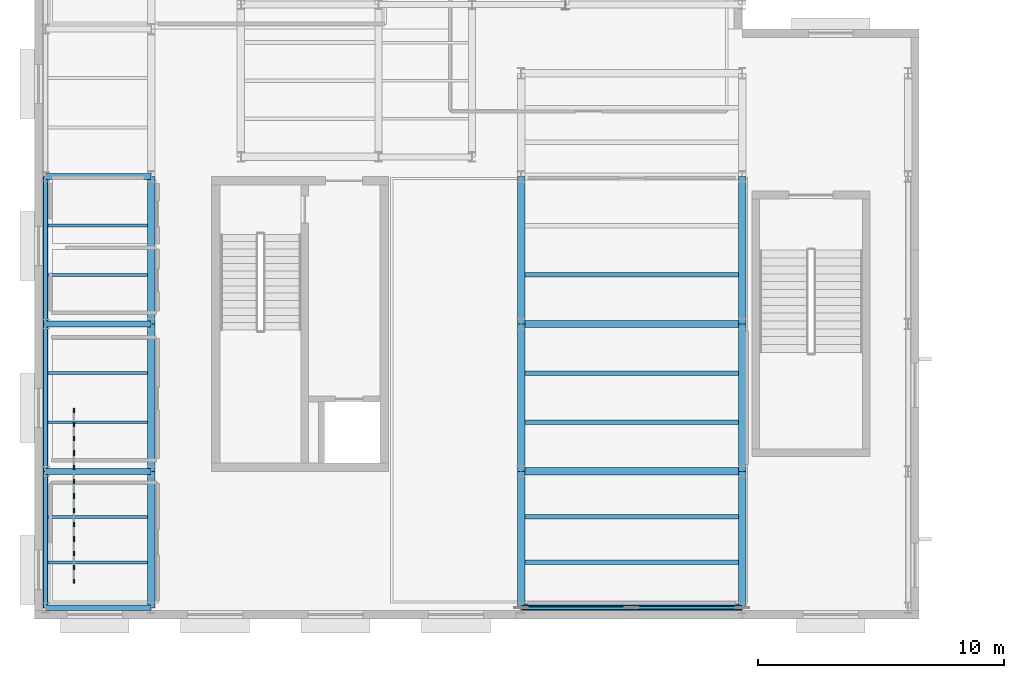
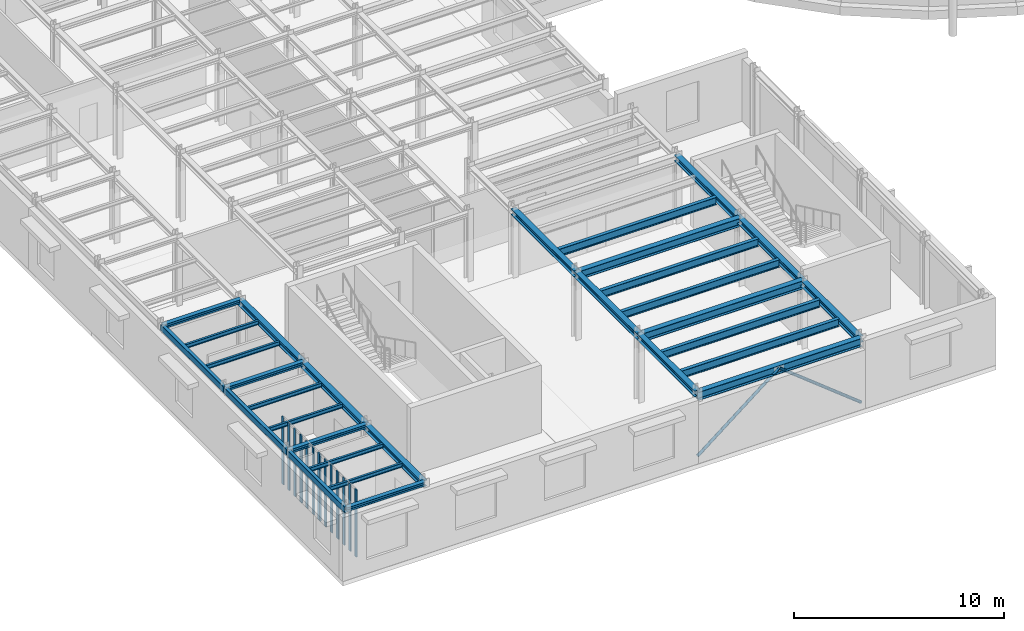
# One storey, part 15 of 75: 30 beams, 18 members, 4 elements without a shape of their own.
"""IFC4 building model written with IfcOpenShell, lengths in metres."""

from ifc_helpers import new_model, si_unit, direction, frame, origin, origin_2d, place, context, subcontext, project, spatial, rectangle, hollow_rectangle, hollow_circle, i_section, extrude, material, material_profile, profile_set, type_object, element, aggregate, save


model = new_model("IFC4")

# Units and contexts
model_context = context("Model", 3, precision=1e-05, world=origin(), true_north=direction((0.0, 1.0)))
body_context = subcontext(model_context, "Body", "Model", "MODEL_VIEW")
ifc_project = project(units=[si_unit("LENGTHUNIT", "METRE"), si_unit("AREAUNIT", "SQUARE_METRE"), si_unit("VOLUMEUNIT", "CUBIC_METRE"), si_unit("PLANEANGLEUNIT", "RADIAN"), si_unit("MASSUNIT", "GRAM", prefix="KILO")], contexts=[model_context])

# Site, building, storey
site_placement = place(None, origin())
site = spatial("IfcSite", under=ifc_project, at=site_placement, CompositionType="ELEMENT")
building_placement = place(site_placement, origin())
building = spatial("IfcBuilding", under=site, at=building_placement, Name="Kolvaren Corner Interchange", CompositionType="ELEMENT")
storey_placement = place(building_placement, frame((0.0, 0.0, 10.5)))
storey = spatial("IfcBuildingStorey", under=building, at=storey_placement, Name="L03", CompositionType="ELEMENT", Elevation=10.5)

# Beams
ifc_material_1 = material(Name="Steel S355", Category="steel")
ifc_material_profile_1 = material_profile(ifc_material_1, i_section(OverallWidth=0.239990234375, OverallDepth=0.22998046875, WebThickness=0.007568359375, FlangeThickness=0.011962890625, FilletRadius=0.02099609375, at=origin_2d()), Name="HEA 240")
ifc_profile_set_1 = profile_set([ifc_material_profile_1], Name="Steel S355")
beam_type_1 = type_object("IfcBeamType", Name="BM-HEA240", PredefinedType="BEAM", material=ifc_profile_set_1)
for number, where, z_axis, x_axis, name in (
    (1, (0.449951171875, 0.449951171875, 3.8349609375), (1.0, 0.0, 0.0), (0.0, 1.0, 0.0), "Storey L03 Grid X Primary Girder 0942"),
    (2, (0.449951171875, 6.0, 3.8349609375), (1.0, 0.0, 0.0), (0.0, 1.0, 0.0), "Storey L03 Grid X Primary Girder 0944"),
    (3, (0.449951171875, 12.0, 3.8349609375), (1.0, 0.0, 0.0), (0.0, 1.0, 0.0), "Storey L03 Grid X Primary Girder 0946"),
    (4, (0.449951171875, 18.0, 3.8349609375), (1.0, 0.0, 0.0), (0.0, 1.0, 0.0), "Storey L03 Grid X Primary Girder 0948"),
):
    element("IfcBeam", number, at=place(storey_placement, frame(where, z_axis=z_axis, x_axis=x_axis)), inside=storey, type_object=beam_type_1, Name=name, PredefinedType="BEAM", context=body_context, shape_type="SweptSolid", body=[
        extrude(i_section(OverallWidth=0.239990234375, OverallDepth=0.22998046875, WebThickness=0.007568359375, FlangeThickness=0.011962890625, FilletRadius=0.02099609375, at=origin_2d()), origin(), (0.0, 0.0, 1.0), 4.300048828125),
    ])
ifc_material_2 = material(Name="Steel S355", Category="steel")
ifc_material_profile_2 = material_profile(ifc_material_2, i_section(OverallWidth=0.300048828125, OverallDepth=0.35009765625, WebThickness=0.010009765625, FlangeThickness=0.017578125, FilletRadius=0.027099609375, at=origin_2d()), Name="HEA 360")
ifc_profile_set_2 = profile_set([ifc_material_profile_2], Name="Steel S355")
beam_type_2 = type_object("IfcBeamType", Name="BM-HEA360", PredefinedType="BEAM", material=ifc_profile_set_2)
beam_1_placement = place(storey_placement, frame((4.75, 0.449951171875, 3.77490234375), z_axis=(0.0, 1.0, 0.0), x_axis=(-1.0, 0.0, 0.0)))
element("IfcBeam", 5, at=beam_1_placement, inside=storey, type_object=beam_type_2, Name="Storey L03 Grid Y Primary Girder 0988", PredefinedType="BEAM", context=body_context, shape_type="SweptSolid", body=[
    extrude(i_section(OverallWidth=0.300048828125, OverallDepth=0.35009765625, WebThickness=0.010009765625, FlangeThickness=0.017578125, FilletRadius=0.027099609375, at=origin_2d()), origin(), (0.0, 0.0, 1.0), 5.550048828125),
])
for number, where, z_axis, x_axis, name in (
    (6, (4.75, 6.0, 3.77490234375), (0.0, 1.0, 0.0), (-1.0, 0.0, 0.0), "Storey L03 Grid Y Primary Girder 0989"),
    (7, (4.75, 12.0, 3.77490234375), (0.0, 1.0, 0.0), (-1.0, 0.0, 0.0), "Storey L03 Grid Y Primary Girder 0990"),
):
    element("IfcBeam", number, at=place(storey_placement, frame(where, z_axis=z_axis, x_axis=x_axis)), inside=storey, type_object=beam_type_2, Name=name, PredefinedType="BEAM", context=body_context, shape_type="SweptSolid", body=[
        extrude(i_section(OverallWidth=0.300048828125, OverallDepth=0.35009765625, WebThickness=0.010009765625, FlangeThickness=0.017578125, FilletRadius=0.027099609375, at=origin_2d()), origin(), (0.0, 0.0, 1.0), 6.0),
    ])
beam_2_placement = place(storey_placement, frame((19.800048828125, 0.449951171875, 3.77490234375), z_axis=(0.0, 1.0, 0.0), x_axis=(-1.0, 0.0, 0.0)))
element("IfcBeam", 8, at=beam_2_placement, inside=storey, type_object=beam_type_2, Name="Storey L03 Grid Y Primary Girder 1004", PredefinedType="BEAM", context=body_context, shape_type="SweptSolid", body=[
    extrude(i_section(OverallWidth=0.300048828125, OverallDepth=0.35009765625, WebThickness=0.010009765625, FlangeThickness=0.017578125, FilletRadius=0.027099609375, at=origin_2d()), origin(), (0.0, 0.0, 1.0), 5.550048828125),
])
for number, where, z_axis, x_axis, name in (
    (9, (19.800048828125, 6.0, 3.77490234375), (0.0, 1.0, 0.0), (-1.0, 0.0, 0.0), "Storey L03 Grid Y Primary Girder 1005"),
    (10, (19.800048828125, 12.0, 3.77490234375), (0.0, 1.0, 0.0), (-1.0, 0.0, 0.0), "Storey L03 Grid Y Primary Girder 1006"),
):
    element("IfcBeam", number, at=place(storey_placement, frame(where, z_axis=z_axis, x_axis=x_axis)), inside=storey, type_object=beam_type_2, Name=name, PredefinedType="BEAM", context=body_context, shape_type="SweptSolid", body=[
        extrude(i_section(OverallWidth=0.300048828125, OverallDepth=0.35009765625, WebThickness=0.010009765625, FlangeThickness=0.017578125, FilletRadius=0.027099609375, at=origin_2d()), origin(), (0.0, 0.0, 1.0), 6.0),
    ])
beam_3_placement = place(storey_placement, frame((28.800048828125, 0.449951171875, 3.7548828125), z_axis=(0.0, 1.0, 0.0), x_axis=(-1.0, 0.0, 0.0)))
element("IfcBeam", 11, at=beam_3_placement, inside=storey, type_object=beam_type_2, Name="Storey L03 Grid Y Primary Girder 1010", PredefinedType="BEAM", context=body_context, shape_type="SweptSolid", body=[
    extrude(i_section(OverallWidth=0.300048828125, OverallDepth=0.35009765625, WebThickness=0.010009765625, FlangeThickness=0.017578125, FilletRadius=0.027099609375, at=origin_2d()), origin(), (0.0, 0.0, 1.0), 5.550048828125),
])
for number, where, z_axis, x_axis, name in (
    (12, (28.800048828125, 6.0, 3.7548828125), (0.0, 1.0, 0.0), (-1.0, 0.0, 0.0), "Storey L03 Grid Y Primary Girder 1011"),
    (13, (28.800048828125, 12.0, 3.7548828125), (0.0, 1.0, 0.0), (-1.0, 0.0, 0.0), "Storey L03 Grid Y Primary Girder 1012"),
):
    element("IfcBeam", number, at=place(storey_placement, frame(where, z_axis=z_axis, x_axis=x_axis)), inside=storey, type_object=beam_type_2, Name=name, PredefinedType="BEAM", context=body_context, shape_type="SweptSolid", body=[
        extrude(i_section(OverallWidth=0.300048828125, OverallDepth=0.35009765625, WebThickness=0.010009765625, FlangeThickness=0.017578125, FilletRadius=0.027099609375, at=origin_2d()), origin(), (0.0, 0.0, 1.0), 6.0),
    ])
ifc_material_3 = material(Name="Steel S355", Category="steel")
ifc_material_profile_3 = material_profile(ifc_material_3, i_section(OverallWidth=0.300048828125, OverallDepth=0.489990234375, WebThickness=0.011962890625, FlangeThickness=0.02294921875, FilletRadius=0.027099609375, at=origin_2d()), Name="HEA 500")
ifc_profile_set_3 = profile_set([ifc_material_profile_3], Name="Steel S355")
beam_type_3 = type_object("IfcBeamType", Name="BM-HEA500", PredefinedType="BEAM", material=ifc_profile_set_3)
for number, where, z_axis, x_axis, name in (
    (14, (19.800048828125, 0.449951171875, 3.68505859375), (1.0, 0.0, 0.0), (0.0, 1.0, 0.0), "Storey L03 Grid X Primary Girder 0943"),
    (15, (19.800048828125, 6.0, 3.68505859375), (1.0, 0.0, 0.0), (0.0, 1.0, 0.0), "Storey L03 Grid X Primary Girder 0945"),
    (16, (19.800048828125, 12.0, 3.68505859375), (1.0, 0.0, 0.0), (0.0, 1.0, 0.0), "Storey L03 Grid X Primary Girder 0947"),
):
    element("IfcBeam", number, at=place(storey_placement, frame(where, z_axis=z_axis, x_axis=x_axis)), inside=storey, type_object=beam_type_3, Name=name, PredefinedType="BEAM", context=body_context, shape_type="SweptSolid", body=[
        extrude(i_section(OverallWidth=0.300048828125, OverallDepth=0.489990234375, WebThickness=0.011962890625, FlangeThickness=0.02294921875, FilletRadius=0.027099609375, at=origin_2d()), origin(), (0.0, 0.0, 1.0), 9.0),
    ])
ifc_material_4 = material(Name="Steel S355", Category="steel")
ifc_material_profile_4 = material_profile(ifc_material_4, i_section(OverallWidth=0.1201171875, OverallDepth=0.239990234375, WebThickness=0.006103515625, FlangeThickness=0.009765625, FilletRadius=0.014892578125, at=origin_2d()), Name="IPE 240")
ifc_profile_set_4 = profile_set([ifc_material_profile_4], Name="Steel S355")
beam_type_4 = type_object("IfcBeamType", Name="JS-IPE240", PredefinedType="JOIST", material=ifc_profile_set_4)
for number, where, z_axis, x_axis, name in (
    (17, (0.550048828125, 2.300048828125, 3.830078125), (1.0, 0.0, 0.0), (0.0, 1.0, 0.0), "Storey L03 Composite Floor Joist 0833"),
    (18, (0.550048828125, 4.14990234375, 3.830078125), (1.0, 0.0, 0.0), (0.0, 1.0, 0.0), "Storey L03 Composite Floor Joist 0834"),
    (19, (0.550048828125, 8.0, 3.830078125), (1.0, 0.0, 0.0), (0.0, 1.0, 0.0), "Storey L03 Composite Floor Joist 0835"),
    (20, (0.550048828125, 10.0, 3.830078125), (1.0, 0.0, 0.0), (0.0, 1.0, 0.0), "Storey L03 Composite Floor Joist 0836"),
    (21, (0.550048828125, 14.0, 3.830078125), (1.0, 0.0, 0.0), (0.0, 1.0, 0.0), "Storey L03 Composite Floor Joist 0837"),
    (22, (0.550048828125, 16.0, 3.830078125), (1.0, 0.0, 0.0), (0.0, 1.0, 0.0), "Storey L03 Composite Floor Joist 0838"),
):
    element("IfcBeam", number, at=place(storey_placement, frame(where, z_axis=z_axis, x_axis=x_axis)), inside=storey, type_object=beam_type_4, Name=name, PredefinedType="JOIST", context=body_context, shape_type="SweptSolid", body=[
        extrude(i_section(OverallWidth=0.1201171875, OverallDepth=0.239990234375, WebThickness=0.006103515625, FlangeThickness=0.009765625, FilletRadius=0.014892578125, at=origin_2d()), origin(), (0.0, 0.0, 1.0), 4.050048828125),
    ])
ifc_material_5 = material(Name="Steel S355", Category="steel")
ifc_material_profile_5 = material_profile(ifc_material_5, i_section(OverallWidth=0.18994140625, OverallDepth=0.449951171875, WebThickness=0.009521484375, FlangeThickness=0.0146484375, FilletRadius=0.02099609375, at=origin_2d()), Name="IPE 450")
ifc_profile_set_5 = profile_set([ifc_material_profile_5], Name="Steel S355")
beam_type_5 = type_object("IfcBeamType", Name="JS-IPE450", PredefinedType="JOIST", material=ifc_profile_set_5)
for number, where, z_axis, x_axis, name in (
    (23, (19.949951171875, 2.300048828125, 3.72509765625), (1.0, 0.0, 0.0), (0.0, 1.0, 0.0), "Storey L03 Composite Floor Joist 0868"),
    (24, (19.949951171875, 4.14990234375, 3.72509765625), (1.0, 0.0, 0.0), (0.0, 1.0, 0.0), "Storey L03 Composite Floor Joist 0869"),
    (25, (19.949951171875, 8.0, 3.72509765625), (1.0, 0.0, 0.0), (0.0, 1.0, 0.0), "Storey L03 Composite Floor Joist 0870"),
    (26, (19.949951171875, 10.0, 3.72509765625), (1.0, 0.0, 0.0), (0.0, 1.0, 0.0), "Storey L03 Composite Floor Joist 0871"),
    (27, (19.949951171875, 14.0, 3.72509765625), (1.0, 0.0, 0.0), (0.0, 1.0, 0.0), "Storey L03 Composite Floor Joist 0872"),
):
    element("IfcBeam", number, at=place(storey_placement, frame(where, z_axis=z_axis, x_axis=x_axis)), inside=storey, type_object=beam_type_5, Name=name, PredefinedType="JOIST", context=body_context, shape_type="SweptSolid", body=[
        extrude(i_section(OverallWidth=0.18994140625, OverallDepth=0.449951171875, WebThickness=0.009521484375, FlangeThickness=0.0146484375, FilletRadius=0.02099609375, at=origin_2d()), origin(), (0.0, 0.0, 1.0), 8.699951171875),
    ])

# Members
ifc_material_6 = material(Name="Steel S355", Category="steel")
ifc_material_profile_6 = material_profile(ifc_material_6, hollow_circle(Radius=0.084228515625, WallThickness=0.008056640625, at=origin_2d()), Name="CHS 168.3x8.0")
ifc_profile_set_6 = profile_set([ifc_material_profile_6], Name="Steel S355")
member_type_1 = type_object("IfcMemberType", Name="MEM-BR-CHS168", PredefinedType="BRACE", material=ifc_profile_set_6)
for number, where, z_axis, x_axis, name in (
    (28, (19.800048828125, 0.449951171875, 0.1201171875), (0.783838824147, 0.0, 0.620964328895), (0.0, 1.0, 0.0), "Storey L03 Lateral Chevron Steel Brace 03 Left"),
    (29, (28.800048828125, 0.449951171875, 0.1201171875), (-0.783838824147, 0.0, 0.620964328895), (0.0, -1.0, 0.0), "Storey L03 Lateral Chevron Steel Brace 03 Right"),
):
    element("IfcMember", number, at=place(storey_placement, frame(where, z_axis=z_axis, x_axis=x_axis)), inside=storey, type_object=member_type_1, Name=name, PredefinedType="BRACE", context=body_context, shape_type="SweptSolid", body=[
        extrude(hollow_circle(Radius=0.084228515625, WallThickness=0.008056640625, at=origin_2d()), origin(), (0.0, 0.0, 1.0), 5.740966796875),
    ])

# Curtain wall, members
ifc_material_7 = material(Name="Unitised Aluminium and Solar-Control Glass Curtain Wall", Category="aluminium")
curtain_wall_type = type_object("IfcCurtainWallType", Name="CW-V5-LOGGIA", PredefinedType="NOTDEFINED", material=ifc_material_7)
curtain_wall_1_placement = place(storey_placement, origin())
curtain_wall_1 = element("IfcCurtainWall", 30, at=curtain_wall_1_placement, inside=storey, type_object=curtain_wall_type, Name="Corner Loggia L03 Curtain Wall Bay 01", PredefinedType="NOTDEFINED")
ifc_material_8 = material(Name="Anodised Aluminium Framing", Category="aluminium")
ifc_material_profile_7 = material_profile(ifc_material_8, rectangle(XDim=0.06005859375, YDim=0.179931640625, at=origin_2d()), Name="ALU 60x180")
ifc_profile_set_7 = profile_set([ifc_material_profile_7], Name="Anodised Aluminium Framing")
member_type_2 = type_object("IfcMemberType", Name="MUL-ALU60x180", PredefinedType="MULLION", material=ifc_profile_set_7)
member_1_placement = place(storey_placement, frame((1.60009765625, 1.530029296875, 0.0), z_axis=(0.0, 0.0, 1.0), x_axis=(-1.0, 0.0, 0.0)))
member_1 = element("IfcMember", 31, at=member_1_placement, type_object=member_type_2, Name="CW-158 mullion 1", PredefinedType="MULLION", context=body_context, shape_type="SweptSolid", body=[
    extrude(rectangle(XDim=0.06005859375, YDim=0.179931640625, at=origin_2d()), origin(), (0.0, 0.0, 1.0), 3.919921875),
])
member_2_placement = place(storey_placement, frame((1.60009765625, 2.083251953125, 0.0), z_axis=(0.0, 0.0, 1.0), x_axis=(-1.0, 0.0, 0.0)))
member_2 = element("IfcMember", 32, at=member_2_placement, type_object=member_type_2, Name="CW-158 mullion 2", PredefinedType="MULLION", context=body_context, shape_type="SweptSolid", body=[
    extrude(rectangle(XDim=0.06005859375, YDim=0.179931640625, at=origin_2d()), origin(), (0.0, 0.0, 1.0), 3.919921875),
])
member_3_placement = place(storey_placement, frame((1.60009765625, 2.666748046875, 0.0), z_axis=(0.0, 0.0, 1.0), x_axis=(-1.0, 0.0, 0.0)))
member_3 = element("IfcMember", 33, at=member_3_placement, type_object=member_type_2, Name="CW-158 mullion 3", PredefinedType="MULLION", context=body_context, shape_type="SweptSolid", body=[
    extrude(rectangle(XDim=0.06005859375, YDim=0.179931640625, at=origin_2d()), origin(), (0.0, 0.0, 1.0), 3.919921875),
])
member_4_placement = place(storey_placement, frame((1.60009765625, 3.219970703125, 0.0), z_axis=(0.0, 0.0, 1.0), x_axis=(-1.0, 0.0, 0.0)))
member_4 = element("IfcMember", 34, at=member_4_placement, type_object=member_type_2, Name="CW-158 mullion 4", PredefinedType="MULLION", context=body_context, shape_type="SweptSolid", body=[
    extrude(rectangle(XDim=0.06005859375, YDim=0.179931640625, at=origin_2d()), origin(), (0.0, 0.0, 1.0), 3.919921875),
])
aggregate(curtain_wall_1, [member_1, member_2, member_3, member_4])

curtain_wall_2_placement = place(storey_placement, origin())
curtain_wall_2 = element("IfcCurtainWall", 35, at=curtain_wall_2_placement, inside=storey, type_object=curtain_wall_type, Name="Corner Loggia L03 Curtain Wall Bay 02", PredefinedType="NOTDEFINED")
member_5_placement = place(storey_placement, frame((1.60009765625, 3.280029296875, 0.0), z_axis=(0.0, 0.0, 1.0), x_axis=(-1.0, 0.0, 0.0)))
member_5 = element("IfcMember", 36, at=member_5_placement, type_object=member_type_2, Name="CW-159 mullion 1", PredefinedType="MULLION", context=body_context, shape_type="SweptSolid", body=[
    extrude(rectangle(XDim=0.06005859375, YDim=0.179931640625, at=origin_2d()), origin(), (0.0, 0.0, 1.0), 3.919921875),
])
member_6_placement = place(storey_placement, frame((1.60009765625, 3.833251953125, 0.0), z_axis=(0.0, 0.0, 1.0), x_axis=(-1.0, 0.0, 0.0)))
member_6 = element("IfcMember", 37, at=member_6_placement, type_object=member_type_2, Name="CW-159 mullion 2", PredefinedType="MULLION", context=body_context, shape_type="SweptSolid", body=[
    extrude(rectangle(XDim=0.06005859375, YDim=0.179931640625, at=origin_2d()), origin(), (0.0, 0.0, 1.0), 3.919921875),
])
member_7_placement = place(storey_placement, frame((1.60009765625, 4.416748046875, 0.0), z_axis=(0.0, 0.0, 1.0), x_axis=(-1.0, 0.0, 0.0)))
member_7 = element("IfcMember", 38, at=member_7_placement, type_object=member_type_2, Name="CW-159 mullion 3", PredefinedType="MULLION", context=body_context, shape_type="SweptSolid", body=[
    extrude(rectangle(XDim=0.06005859375, YDim=0.179931640625, at=origin_2d()), origin(), (0.0, 0.0, 1.0), 3.919921875),
])
member_8_placement = place(storey_placement, frame((1.60009765625, 4.969970703125, 0.0), z_axis=(0.0, 0.0, 1.0), x_axis=(-1.0, 0.0, 0.0)))
member_8 = element("IfcMember", 39, at=member_8_placement, type_object=member_type_2, Name="CW-159 mullion 4", PredefinedType="MULLION", context=body_context, shape_type="SweptSolid", body=[
    extrude(rectangle(XDim=0.06005859375, YDim=0.179931640625, at=origin_2d()), origin(), (0.0, 0.0, 1.0), 3.919921875),
])
aggregate(curtain_wall_2, [member_5, member_6, member_7, member_8])

curtain_wall_3_placement = place(storey_placement, origin())
curtain_wall_3 = element("IfcCurtainWall", 40, at=curtain_wall_3_placement, inside=storey, type_object=curtain_wall_type, Name="Corner Loggia L03 Curtain Wall Bay 03", PredefinedType="NOTDEFINED")
member_9_placement = place(storey_placement, frame((1.60009765625, 5.030029296875, 0.0), z_axis=(0.0, 0.0, 1.0), x_axis=(-1.0, 0.0, 0.0)))
member_9 = element("IfcMember", 41, at=member_9_placement, type_object=member_type_2, Name="CW-160 mullion 1", PredefinedType="MULLION", context=body_context, shape_type="SweptSolid", body=[
    extrude(rectangle(XDim=0.06005859375, YDim=0.179931640625, at=origin_2d()), origin(), (0.0, 0.0, 1.0), 3.919921875),
])
member_10_placement = place(storey_placement, frame((1.60009765625, 5.583251953125, 0.0), z_axis=(0.0, 0.0, 1.0), x_axis=(-1.0, 0.0, 0.0)))
member_10 = element("IfcMember", 42, at=member_10_placement, type_object=member_type_2, Name="CW-160 mullion 2", PredefinedType="MULLION", context=body_context, shape_type="SweptSolid", body=[
    extrude(rectangle(XDim=0.06005859375, YDim=0.179931640625, at=origin_2d()), origin(), (0.0, 0.0, 1.0), 3.919921875),
])
member_11_placement = place(storey_placement, frame((1.60009765625, 6.166748046875, 0.0), z_axis=(0.0, 0.0, 1.0), x_axis=(-1.0, 0.0, 0.0)))
member_11 = element("IfcMember", 43, at=member_11_placement, type_object=member_type_2, Name="CW-160 mullion 3", PredefinedType="MULLION", context=body_context, shape_type="SweptSolid", body=[
    extrude(rectangle(XDim=0.06005859375, YDim=0.179931640625, at=origin_2d()), origin(), (0.0, 0.0, 1.0), 3.919921875),
])
member_12_placement = place(storey_placement, frame((1.60009765625, 6.719970703125, 0.0), z_axis=(0.0, 0.0, 1.0), x_axis=(-1.0, 0.0, 0.0)))
member_12 = element("IfcMember", 44, at=member_12_placement, type_object=member_type_2, Name="CW-160 mullion 4", PredefinedType="MULLION", context=body_context, shape_type="SweptSolid", body=[
    extrude(rectangle(XDim=0.06005859375, YDim=0.179931640625, at=origin_2d()), origin(), (0.0, 0.0, 1.0), 3.919921875),
])
aggregate(curtain_wall_3, [member_9, member_10, member_11, member_12])

curtain_wall_4_placement = place(storey_placement, origin())
curtain_wall_4 = element("IfcCurtainWall", 45, at=curtain_wall_4_placement, inside=storey, type_object=curtain_wall_type, Name="Corner Loggia L03 Curtain Wall Bay 04", PredefinedType="NOTDEFINED")
member_13_placement = place(storey_placement, frame((1.60009765625, 6.780029296875, 0.0), z_axis=(0.0, 0.0, 1.0), x_axis=(-1.0, 0.0, 0.0)))
member_13 = element("IfcMember", 46, at=member_13_placement, type_object=member_type_2, Name="CW-161 mullion 1", PredefinedType="MULLION", context=body_context, shape_type="SweptSolid", body=[
    extrude(rectangle(XDim=0.06005859375, YDim=0.179931640625, at=origin_2d()), origin(), (0.0, 0.0, 1.0), 3.919921875),
])
member_14_placement = place(storey_placement, frame((1.60009765625, 7.333251953125, 0.0), z_axis=(0.0, 0.0, 1.0), x_axis=(-1.0, 0.0, 0.0)))
member_14 = element("IfcMember", 47, at=member_14_placement, type_object=member_type_2, Name="CW-161 mullion 2", PredefinedType="MULLION", context=body_context, shape_type="SweptSolid", body=[
    extrude(rectangle(XDim=0.06005859375, YDim=0.179931640625, at=origin_2d()), origin(), (0.0, 0.0, 1.0), 3.919921875),
])
member_15_placement = place(storey_placement, frame((1.60009765625, 7.916748046875, 0.0), z_axis=(0.0, 0.0, 1.0), x_axis=(-1.0, 0.0, 0.0)))
member_15 = element("IfcMember", 48, at=member_15_placement, type_object=member_type_2, Name="CW-161 mullion 3", PredefinedType="MULLION", context=body_context, shape_type="SweptSolid", body=[
    extrude(rectangle(XDim=0.06005859375, YDim=0.179931640625, at=origin_2d()), origin(), (0.0, 0.0, 1.0), 3.919921875),
])
member_16_placement = place(storey_placement, frame((1.60009765625, 8.469970703125, 0.0), z_axis=(0.0, 0.0, 1.0), x_axis=(-1.0, 0.0, 0.0)))
member_16 = element("IfcMember", 49, at=member_16_placement, type_object=member_type_2, Name="CW-161 mullion 4", PredefinedType="MULLION", context=body_context, shape_type="SweptSolid", body=[
    extrude(rectangle(XDim=0.06005859375, YDim=0.179931640625, at=origin_2d()), origin(), (0.0, 0.0, 1.0), 3.919921875),
])
aggregate(curtain_wall_4, [member_13, member_14, member_15, member_16])

# Beams
ifc_material_9 = material(Name="Steel S355", Category="steel")
ifc_material_profile_8 = material_profile(ifc_material_9, hollow_rectangle(XDim=0.199951171875, YDim=0.35009765625, WallThickness=0.012451171875, InnerFilletRadius=0.012451171875, OuterFilletRadius=0.02490234375, at=origin_2d()), Name="RHS 350x200x12.5")
ifc_profile_set_8 = profile_set([ifc_material_profile_8], Name="Steel S355")
beam_type_6 = type_object("IfcBeamType", Name="SP-RHS350", PredefinedType="SPANDREL", material=ifc_profile_set_8)
beam_4_placement = place(storey_placement, frame((0.449951171875, 0.449951171875, 3.77490234375), z_axis=(0.0, 1.0, 0.0), x_axis=(-1.0, 0.0, 0.0)))
element("IfcBeam", 50, at=beam_4_placement, inside=storey, type_object=beam_type_6, Name="Storey L03 Grid Y Primary Girder 0974", PredefinedType="SPANDREL", context=body_context, shape_type="SweptSolid", body=[
    extrude(hollow_rectangle(XDim=0.199951171875, YDim=0.35009765625, WallThickness=0.012451171875, InnerFilletRadius=0.012451171875, OuterFilletRadius=0.02490234375, at=origin_2d()), origin(), (0.0, 0.0, 1.0), 5.550048828125),
])
for number, where, z_axis, x_axis, name in (
    (51, (0.449951171875, 6.0, 3.77490234375), (0.0, 1.0, 0.0), (-1.0, 0.0, 0.0), "Storey L03 Grid Y Primary Girder 0975"),
    (52, (0.449951171875, 12.0, 3.77490234375), (0.0, 1.0, 0.0), (-1.0, 0.0, 0.0), "Storey L03 Grid Y Primary Girder 0976"),
):
    element("IfcBeam", number, at=place(storey_placement, frame(where, z_axis=z_axis, x_axis=x_axis)), inside=storey, type_object=beam_type_6, Name=name, PredefinedType="SPANDREL", context=body_context, shape_type="SweptSolid", body=[
        extrude(hollow_rectangle(XDim=0.199951171875, YDim=0.35009765625, WallThickness=0.012451171875, InnerFilletRadius=0.012451171875, OuterFilletRadius=0.02490234375, at=origin_2d()), origin(), (0.0, 0.0, 1.0), 6.0),
    ])

save(model, "model.ifc")
